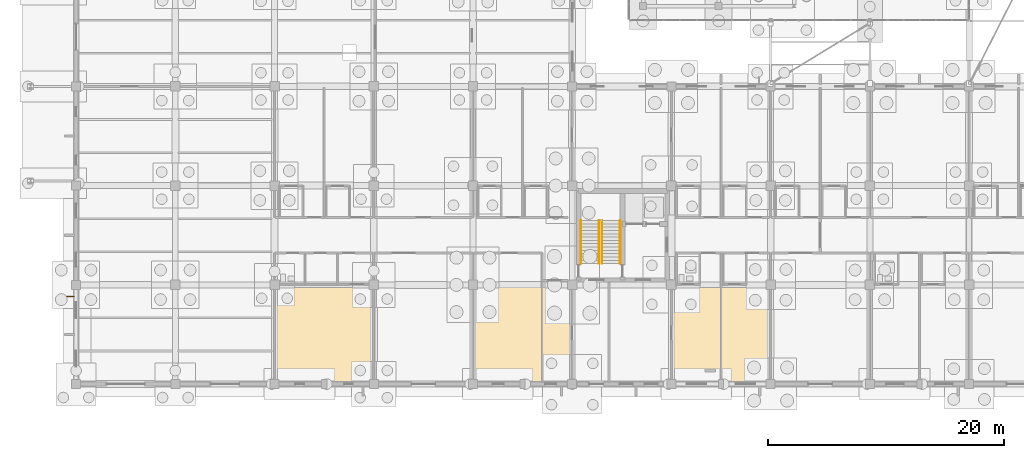
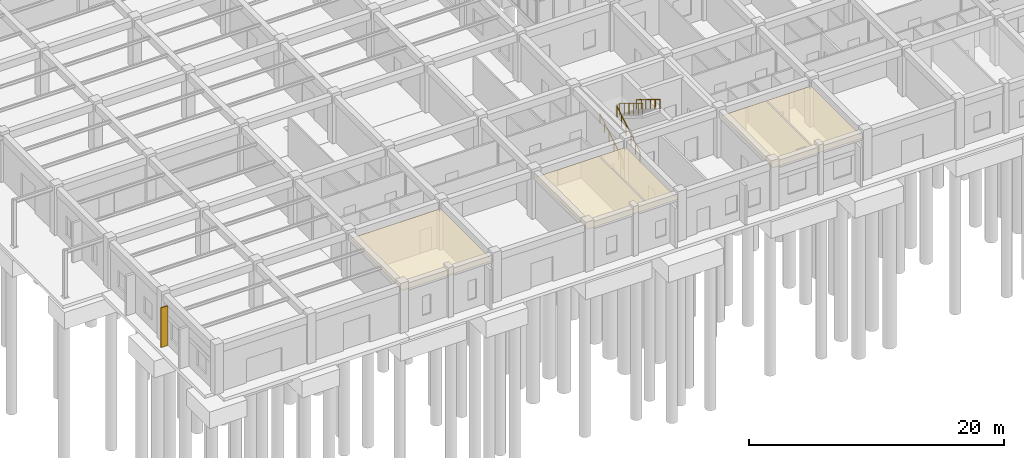
# One storey, part 177 of 192: 4 railings, 3 coverings, 1 shading device.
"""IFC4 building model written with IfcOpenShell, lengths in metres."""

from ifc_helpers import new_model, si_unit, direction, frame, origin, origin_2d, place, context, subcontext, project, spatial, polyline, rectangle, circle, outline, extrude, material, layer, layer_set, type_object, element, save


model = new_model("IFC4")

# Units and contexts
model_context = context("Model", 3, precision=1e-05, world=origin(), true_north=direction((0.0, 1.0)))
body_context = subcontext(model_context, "Body", "Model", "MODEL_VIEW")
ifc_project = project(units=[si_unit("LENGTHUNIT", "METRE"), si_unit("AREAUNIT", "SQUARE_METRE"), si_unit("VOLUMEUNIT", "CUBIC_METRE"), si_unit("PLANEANGLEUNIT", "RADIAN"), si_unit("MASSUNIT", "GRAM", prefix="KILO")], contexts=[model_context])

# Site, building, storey
site_placement = place(None, origin())
site = spatial("IfcSite", under=ifc_project, at=site_placement, CompositionType="ELEMENT")
building_placement = place(site_placement, origin())
building = spatial("IfcBuilding", under=site, at=building_placement, Name="Trelvath General Hospital", CompositionType="ELEMENT")
storey_placement = place(building_placement, origin())
storey = spatial("IfcBuildingStorey", under=building, at=storey_placement, Name="L00", CompositionType="ELEMENT", Elevation=0.0)

# Coverings
ifc_material_1 = material(Name="Hygienic acoustic ceiling tile")
ifc_layer = layer(ifc_material_1, 0.02490234375)
ifc_layer_set = layer_set([ifc_layer], Name="Hygienic acoustic ceiling tile")
covering_type = type_object("IfcCoveringType", Name="Ceiling ClinicalAcoustic", PredefinedType="CEILING", material=ifc_layer_set)
covering_1_placement = place(storey_placement, frame((0.0, 0.0, 3.679931640625)))
element("IfcCovering", 1, at=covering_1_placement, inside=storey, type_object=covering_type, Name="Clinical Acoustic Ceiling L00-1", PredefinedType="CEILING", context=body_context, shape_type="SweptSolid", body=[
    extrude(outline(polyline([(16.89990234375, 0.10009765625), (25.10009765625, 0.10009765625), (25.10009765625, 8.320068359375), (16.89990234375, 8.320068359375), (16.89990234375, 0.10009765625)])), origin(), (0.0, 0.0, 1.0), 0.025146484375),
])
covering_2_placement = place(storey_placement, frame((0.0, 0.0, 3.679931640625)))
element("IfcCovering", 2, at=covering_2_placement, inside=storey, type_object=covering_type, Name="Clinical Acoustic Ceiling L00-2", PredefinedType="CEILING", context=body_context, shape_type="SweptSolid", body=[
    extrude(outline(polyline([(33.699951171875, 0.10009765625), (41.89990234375, 0.10009765625), (41.89990234375, 8.320068359375), (33.699951171875, 8.320068359375), (33.699951171875, 0.10009765625)])), origin(), (0.0, 0.0, 1.0), 0.025146484375),
])
covering_3_placement = place(storey_placement, frame((0.0, 0.0, 3.679931640625)))
element("IfcCovering", 3, at=covering_3_placement, inside=storey, type_object=covering_type, Name="Clinical Acoustic Ceiling L00-3", PredefinedType="CEILING", context=body_context, shape_type="SweptSolid", body=[
    extrude(outline(polyline([(50.5, 0.10009765625), (58.699951171875, 0.10009765625), (58.699951171875, 8.320068359375), (50.5, 8.320068359375), (50.5, 0.10009765625)])), origin(), (0.0, 0.0, 1.0), 0.025146484375),
])

# Railings
ifc_material_2 = material(Name="Architectural painted steel", Category="steel")
railing_type_1 = type_object("IfcRailingType", Name="Guardrail Terrace1150", PredefinedType="GUARDRAIL", material=ifc_material_2)
railing_1_placement = place(storey_placement, frame((44.530029296875, 13.840087890625, 2.5712890625)))
element("IfcRailing", 4, at=railing_1_placement, inside=storey, type_object=railing_type_1, Name="Stair Rail ST4 L00 F2 L 122", PredefinedType="GUARDRAIL", context=body_context, shape_type="SweptSolid", body=[
    extrude(circle(Radius=0.02392578125, at=origin_2d()), frame((0.0, 0.0, 1.076171875), z_axis=(0.0, -0.852840387347, 0.522171689878), x_axis=(1.0, 0.0, 0.0)), (0.0, 0.0, 1.0), 4.268310546875),
    extrude(circle(Radius=0.02099609375, at=origin_2d()), origin(), (0.0, 0.0, 1.0), 1.050048828125),
    extrude(circle(Radius=0.02099609375, at=origin_2d()), frame((0.0, -0.72802734375, 0.44580078125)), (0.0, 0.0, 1.0), 1.050048828125),
    extrude(circle(Radius=0.02099609375, at=origin_2d()), frame((0.0, -1.4560546875, 0.8916015625)), (0.0, 0.0, 1.0), 1.050048828125),
    extrude(circle(Radius=0.02099609375, at=origin_2d()), frame((0.0, -2.18408203125, 1.337158203125)), (0.0, 0.0, 1.0), 1.050048828125),
    extrude(circle(Radius=0.02099609375, at=origin_2d()), frame((0.0, -2.912109375, 1.782958984375)), (0.0, 0.0, 1.0), 1.050048828125),
    extrude(circle(Radius=0.02099609375, at=origin_2d()), frame((0.0, -3.64013671875, 2.228759765625)), (0.0, 0.0, 1.0), 1.050048828125),
])
railing_2_placement = place(storey_placement, frame((44.27001953125, 10.199951171875, 0.17138671875)))
element("IfcRailing", 5, at=railing_2_placement, inside=storey, type_object=railing_type_1, Name="Stair Rail ST4 L00 F1 R 123", PredefinedType="GUARDRAIL", context=body_context, shape_type="SweptSolid", body=[
    extrude(circle(Radius=0.02392578125, at=origin_2d()), frame((0.0, 0.0, 1.076171875), z_axis=(0.0, 0.852865859571, 0.52213008492), x_axis=(-1.0, 0.0, 0.0)), (0.0, 0.0, 1.0), 4.26806640625),
    extrude(circle(Radius=0.02099609375, at=origin_2d()), origin(), (0.0, 0.0, 1.0), 1.050048828125),
    extrude(circle(Radius=0.02099609375, at=origin_2d()), frame((0.0, 0.72802734375, 0.44580078125)), (0.0, 0.0, 1.0), 1.050048828125),
    extrude(circle(Radius=0.02099609375, at=origin_2d()), frame((0.0, 1.4560546875, 0.891357421875)), (0.0, 0.0, 1.0), 1.050048828125),
    extrude(circle(Radius=0.02099609375, at=origin_2d()), frame((0.0, 2.18408203125, 1.337158203125)), (0.0, 0.0, 1.0), 1.050048828125),
    extrude(circle(Radius=0.02099609375, at=origin_2d()), frame((0.0, 2.912109375, 1.78271484375)), (0.0, 0.0, 1.0), 1.050048828125),
    extrude(circle(Radius=0.02099609375, at=origin_2d()), frame((0.0, 3.64013671875, 2.228515625)), (0.0, 0.0, 1.0), 1.050048828125),
])
ifc_material_3 = material(Name="Brushed stainless steel", Category="steel")
railing_type_2 = type_object("IfcRailingType", Name="Handrail Stair900", PredefinedType="HANDRAIL", material=ifc_material_3)
railing_3_placement = place(storey_placement, frame((42.72998046875, 10.199951171875, 0.17138671875)))
element("IfcRailing", 6, at=railing_3_placement, inside=storey, type_object=railing_type_2, Name="Stair Rail ST4 L00 F1 L 121", PredefinedType="HANDRAIL", context=body_context, shape_type="SweptSolid", body=[
    extrude(circle(Radius=0.02392578125, at=origin_2d()), frame((0.0, 0.0, 0.8759765625), z_axis=(0.0, 0.852865859571, 0.52213008492), x_axis=(-1.0, 0.0, 0.0)), (0.0, 0.0, 1.0), 4.26806640625),
    extrude(circle(Radius=0.02099609375, at=origin_2d()), origin(), (0.0, 0.0, 1.0), 0.849853515625),
    extrude(circle(Radius=0.02099609375, at=origin_2d()), frame((0.0, 0.72802734375, 0.44580078125)), (0.0, 0.0, 1.0), 0.849853515625),
    extrude(circle(Radius=0.02099609375, at=origin_2d()), frame((0.0, 1.4560546875, 0.891357421875)), (0.0, 0.0, 1.0), 0.849853515625),
    extrude(circle(Radius=0.02099609375, at=origin_2d()), frame((0.0, 2.18408203125, 1.337158203125)), (0.0, 0.0, 1.0), 0.849853515625),
    extrude(circle(Radius=0.02099609375, at=origin_2d()), frame((0.0, 2.912109375, 1.78271484375)), (0.0, 0.0, 1.0), 0.849853515625),
    extrude(circle(Radius=0.02099609375, at=origin_2d()), frame((0.0, 3.64013671875, 2.228515625)), (0.0, 0.0, 1.0), 0.849853515625),
])
railing_4_placement = place(storey_placement, frame((46.070068359375, 13.840087890625, 2.5712890625)))
element("IfcRailing", 7, at=railing_4_placement, inside=storey, type_object=railing_type_2, Name="Stair Rail ST4 L00 F2 R 124", PredefinedType="HANDRAIL", context=body_context, shape_type="SweptSolid", body=[
    extrude(circle(Radius=0.02392578125, at=origin_2d()), frame((0.0, 0.0, 0.8759765625), z_axis=(0.0, -0.852840387347, 0.522171689878), x_axis=(1.0, 0.0, 0.0)), (0.0, 0.0, 1.0), 4.268310546875),
    extrude(circle(Radius=0.02099609375, at=origin_2d()), origin(), (0.0, 0.0, 1.0), 0.849853515625),
    extrude(circle(Radius=0.02099609375, at=origin_2d()), frame((0.0, -0.72802734375, 0.44580078125)), (0.0, 0.0, 1.0), 0.849853515625),
    extrude(circle(Radius=0.02099609375, at=origin_2d()), frame((0.0, -1.4560546875, 0.8916015625)), (0.0, 0.0, 1.0), 0.849853515625),
    extrude(circle(Radius=0.02099609375, at=origin_2d()), frame((0.0, -2.18408203125, 1.337158203125)), (0.0, 0.0, 1.0), 0.849853515625),
    extrude(circle(Radius=0.02099609375, at=origin_2d()), frame((0.0, -2.912109375, 1.782958984375)), (0.0, 0.0, 1.0), 0.849853515625),
    extrude(circle(Radius=0.02099609375, at=origin_2d()), frame((0.0, -3.64013671875, 2.228759765625)), (0.0, 0.0, 1.0), 0.849853515625),
])

# Shading device
ifc_material_4 = material(Name="Anodised aluminium", Category="aluminium")
shading_device_type = type_object("IfcShadingDeviceType", Name="SolarScreen PerforatedAlu", PredefinedType="JALOUSIE", material=ifc_material_4)
shading_device_placement = place(storey_placement, frame((-0.47998046875, 7.4130859375, 0.0), z_axis=(0.0, 0.0, 1.0), x_axis=(-1.0, 0.0, 0.0)))
element("IfcShadingDevice", 8, at=shading_device_placement, inside=storey, type_object=shading_device_type, Name="Solar Brise-Soleil Screen L00-1", PredefinedType="JALOUSIE", context=body_context, shape_type="SweptSolid", body=[
    extrude(rectangle(XDim=0.64990234375, YDim=0.080078125, at=origin_2d()), origin(), (0.0, 0.0, 1.0), 3.820068359375),
])

save(model, "model.ifc")
